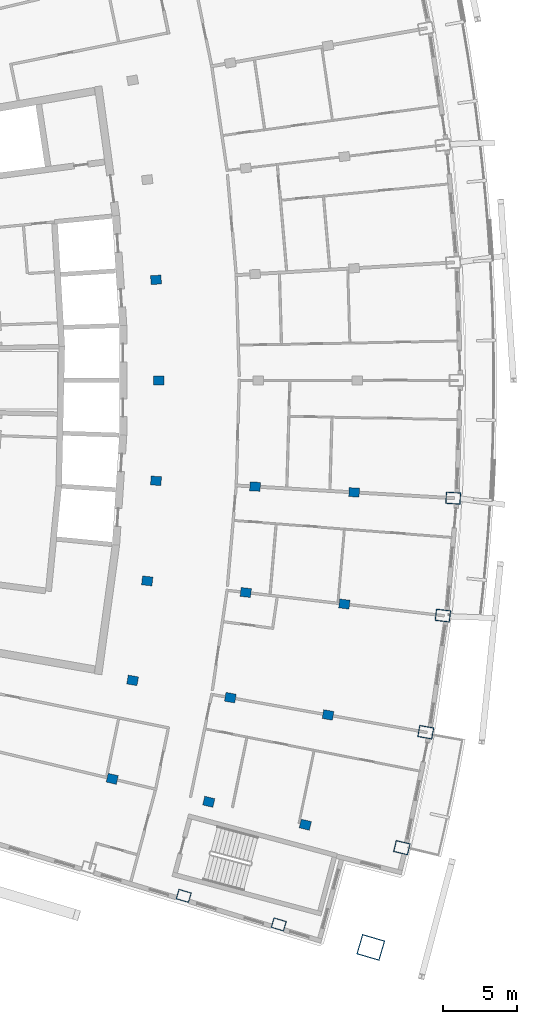
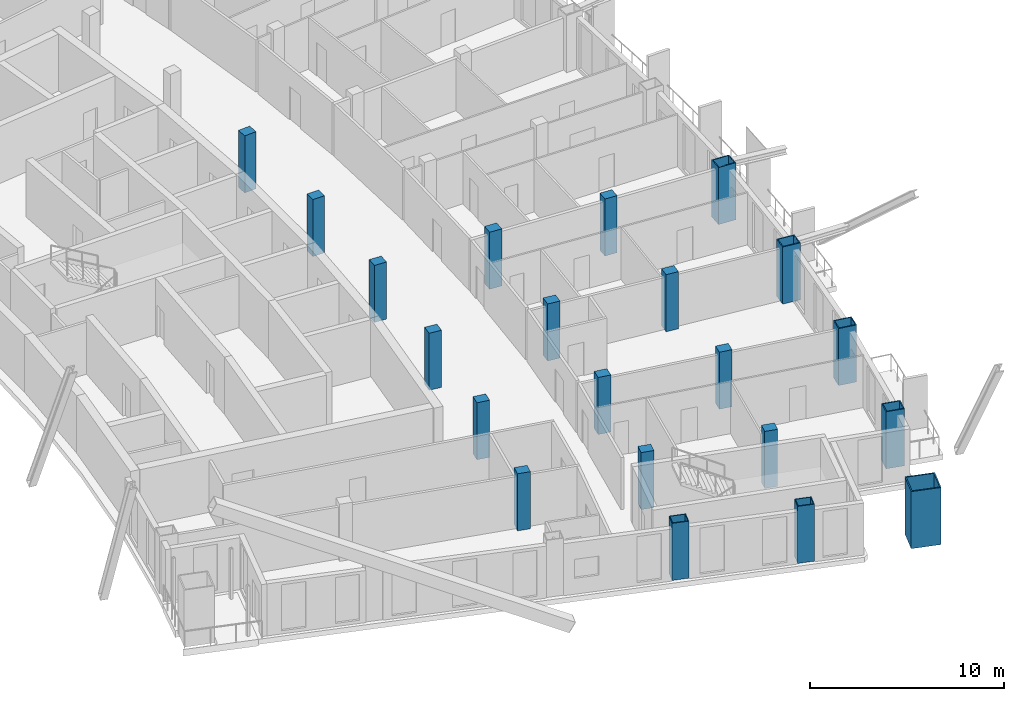
# One storey, part 2 of 17: 21 columns.
"""IFC4 building model written with IfcOpenShell, lengths in metres."""

from ifc_helpers import new_model, si_unit, direction, frame, origin, origin_2d, place, context, subcontext, project, spatial, rectangle, hollow_rectangle, extrude, material, material_profile, profile_set, type_object, element, save


model = new_model("IFC4")

# Units and contexts
model_context = context("Model", 3, precision=1e-05, world=origin(), true_north=direction((0.0, 1.0)))
body_context = subcontext(model_context, "Body", "Model", "MODEL_VIEW")
ifc_project = project(units=[si_unit("LENGTHUNIT", "METRE"), si_unit("AREAUNIT", "SQUARE_METRE"), si_unit("VOLUMEUNIT", "CUBIC_METRE"), si_unit("PLANEANGLEUNIT", "RADIAN"), si_unit("MASSUNIT", "GRAM", prefix="KILO")], contexts=[model_context])

# Site, building, storey
site_placement = place(None, origin())
site = spatial("IfcSite", under=ifc_project, at=site_placement, CompositionType="ELEMENT")
building_placement = place(site_placement, origin())
building = spatial("IfcBuilding", under=site, at=building_placement, Name="Alderwake Tower", CompositionType="ELEMENT")
storey_placement = place(building_placement, frame((0.0, 0.0, 278.0)))
storey = spatial("IfcBuildingStorey", under=building, at=storey_placement, Name="L69", CompositionType="ELEMENT", Elevation=278.0)

# Columns
ifc_material_1 = material(Name="Steel ASTM A572 Grade 50 concrete filled C70/85", Category="concrete")
ifc_material_profile_1 = material_profile(ifc_material_1, hollow_rectangle(XDim=0.699951171875, YDim=0.89990234375, WallThickness=0.050048828125, at=origin_2d()), Name="BOX 900X700X50")
ifc_profile_set_1 = profile_set([ifc_material_profile_1], Name="Steel ASTM A572 Grade 50 concrete filled C70/85")
column_type_1 = type_object("IfcColumnType", Name="End column Z5", PredefinedType="COLUMN", material=ifc_profile_set_1)
for number, where, z_axis, x_axis, name in (
    (1, (37.465576171875, 26.35986328125, 0.0), (0.0, 0.0, 1.0), (0.282853758087, 0.95916304742, 0.0), "Column R02-C3"),
    (2, (43.8505859375, 24.44287109375, 0.0), (0.0, 0.0, 1.0), (0.283096487049, 0.95909143413, 0.0), "Column R02-C4"),
):
    element("IfcColumn", number, at=place(storey_placement, frame(where, z_axis=z_axis, x_axis=x_axis)), inside=storey, type_object=column_type_1, Name=name, PredefinedType="COLUMN", context=body_context, shape_type="SweptSolid", body=[
        extrude(hollow_rectangle(XDim=0.699951171875, YDim=0.89990234375, WallThickness=0.050048828125, at=origin_2d()), origin(), (0.0, 0.0, 1.0), 3.60009765625),
    ])
ifc_material_2 = material(Name="Concrete C70/85", Category="concrete")
ifc_material_profile_2 = material_profile(ifc_material_2, rectangle(XDim=0.60009765625, YDim=0.699951171875, at=origin_2d()), Name="RC 700X600")
ifc_profile_set_2 = profile_set([ifc_material_profile_2], Name="Concrete C70/85")
column_type_2 = type_object("IfcColumnType", Name="Interior column Z5", PredefinedType="COLUMN", material=ifc_profile_set_2)
for number, where, z_axis, x_axis, name in (
    (3, (32.661865234375, 34.224609375, 0.0), (0.0, 0.0, 1.0), (0.231221547198, 0.972901123502, 0.0), "Column R03-C2"),
    (4, (39.14794921875, 32.68310546875, 0.0), (0.0, 0.0, 1.0), (0.231221547198, 0.972901123502, 0.0), "Column R03-C3"),
    (5, (45.6337890625, 31.1416015625, 0.0), (0.0, 0.0, 1.0), (0.231221547198, 0.972901123502, 0.0), "Column R03-C4"),
    (6, (34.03125, 40.83837890625, 0.0), (0.0, 0.0, 1.0), (0.174108800747, 0.984726421654, 0.0), "Column R04-C2"),
    (7, (40.59619140625, 39.677490234375, 0.0), (0.0, 0.0, 1.0), (0.174107082075, 0.984726725529, 0.0), "Column R04-C3"),
    (8, (47.160888671875, 38.516845703125, 0.0), (0.0, 0.0, 1.0), (0.174108800747, 0.984726421654, 0.0), "Column R04-C4"),
    (9, (35.0126953125, 47.5205078125, 0.0), (0.0, 0.0, 1.0), (0.116402054316, 0.993202175668, 0.0), "Column R05-C2"),
    (10, (41.63427734375, 46.74462890625, 0.0), (0.0, 0.0, 1.0), (0.116402054316, 0.993202175668, 0.0), "Column R05-C3"),
    (11, (48.255615234375, 45.968505859375, 0.0), (0.0, 0.0, 1.0), (0.116402054316, 0.993202175668, 0.0), "Column R05-C4"),
    (12, (35.60302734375, 54.248779296875, 0.0), (0.0, 0.0, 1.0), (0.058301061284, 0.998299046505, 0.0), "Column R06-C2"),
    (13, (42.25830078125, 53.860107421875, 0.0), (0.0, 0.0, 1.0), (0.058299318924, 0.998299148258, 0.0), "Column R06-C3"),
    (14, (48.913818359375, 53.471435546875, 0.0), (0.0, 0.0, 1.0), (0.058301061284, 0.998299046505, 0.0), "Column R06-C4"),
    (15, (35.800048828125, 61.0, 0.0), (0.0, 0.0, 1.0), (0.0, 1.0, 0.0), "Column R07-C2"),
    (16, (35.60302734375, 67.751220703125, 0.0), (0.0, 0.0, 1.0), (-0.058301061284, 0.998299046505, 0.0), "Column R08-C2"),
):
    element("IfcColumn", number, at=place(storey_placement, frame(where, z_axis=z_axis, x_axis=x_axis)), inside=storey, type_object=column_type_2, Name=name, PredefinedType="COLUMN", context=body_context, shape_type="SweptSolid", body=[
        extrude(rectangle(XDim=0.60009765625, YDim=0.699951171875, at=origin_2d()), origin(), (0.0, 0.0, 1.0), 3.60009765625),
    ])
ifc_material_3 = material(Name="Steel ASTM A572 Grade 50 concrete filled C70/85", Category="concrete")
ifc_material_profile_3 = material_profile(ifc_material_3, hollow_rectangle(XDim=1.39990234375, YDim=1.60009765625, WallThickness=0.070068359375, at=origin_2d()), Name="BOX 1600X1400X70")
ifc_profile_set_3 = profile_set([ifc_material_profile_3], Name="Steel ASTM A572 Grade 50 concrete filled C70/85")
column_type_3 = type_object("IfcColumnType", Name="Mega column Z5", PredefinedType="COLUMN", material=ifc_profile_set_3)
column_placement = place(storey_placement, frame((50.03271484375, 22.898193359375, 0.0), z_axis=(0.0, 0.0, 1.0), x_axis=(0.281194346997, 0.959650842347, 0.0)))
element("IfcColumn", 17, at=column_placement, inside=storey, type_object=column_type_3, Name="Column R02-C5", PredefinedType="COLUMN", context=body_context, shape_type="SweptSolid", body=[
    extrude(hollow_rectangle(XDim=1.39990234375, YDim=1.60009765625, WallThickness=0.070068359375, at=origin_2d()), origin(), (0.0, 0.0, 1.0), 3.60009765625),
])
ifc_material_4 = material(Name="Steel ASTM A572 Grade 50 concrete filled C70/85", Category="concrete")
ifc_material_profile_4 = material_profile(ifc_material_4, hollow_rectangle(XDim=0.800048828125, YDim=1.0, WallThickness=0.054931640625, at=origin_2d()), Name="BOX 1000X800X55")
ifc_profile_set_4 = profile_set([ifc_material_profile_4], Name="Steel ASTM A572 Grade 50 concrete filled C70/85")
column_type_4 = type_object("IfcColumnType", Name="Perimeter column Z5", PredefinedType="COLUMN", material=ifc_profile_set_4)
for number, where, z_axis, x_axis, name in (
    (18, (52.1201171875, 29.60009765625, 0.0), (0.0, 0.0, 1.0), (0.231221547198, 0.972901123502, 0.0), "Column R03-C5"),
    (19, (53.725830078125, 37.356201171875, 0.0), (0.0, 0.0, 1.0), (0.174108800747, 0.984726421654, 0.0), "Column R04-C5"),
    (20, (54.876953125, 45.192626953125, 0.0), (0.0, 0.0, 1.0), (0.116402054316, 0.993202175668, 0.0), "Column R05-C5"),
    (21, (55.569091796875, 53.082763671875, 0.0), (0.0, 0.0, 1.0), (0.058301061284, 0.998299046505, 0.0), "Column R06-C5"),
):
    element("IfcColumn", number, at=place(storey_placement, frame(where, z_axis=z_axis, x_axis=x_axis)), inside=storey, type_object=column_type_4, Name=name, PredefinedType="COLUMN", context=body_context, shape_type="SweptSolid", body=[
        extrude(hollow_rectangle(XDim=0.800048828125, YDim=1.0, WallThickness=0.054931640625, at=origin_2d()), origin(), (0.0, 0.0, 1.0), 3.60009765625),
    ])

save(model, "model.ifc")
